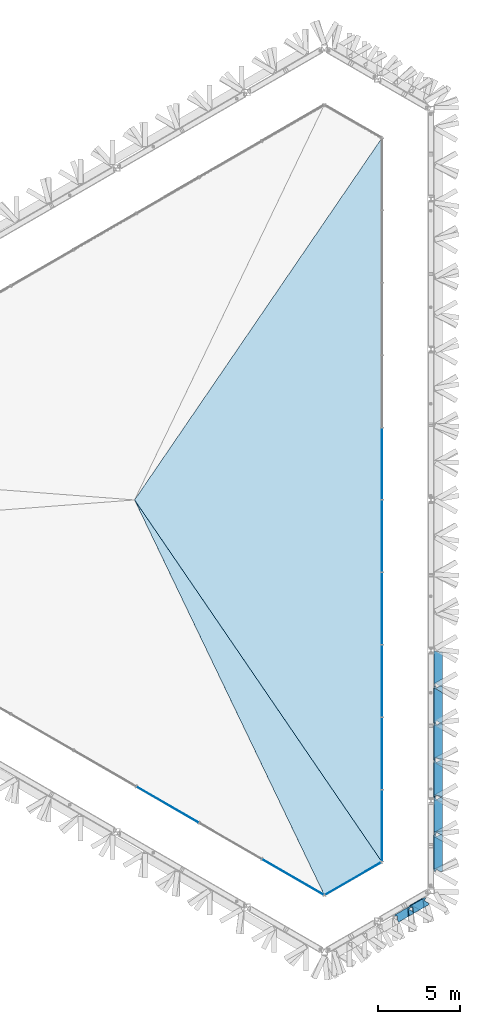
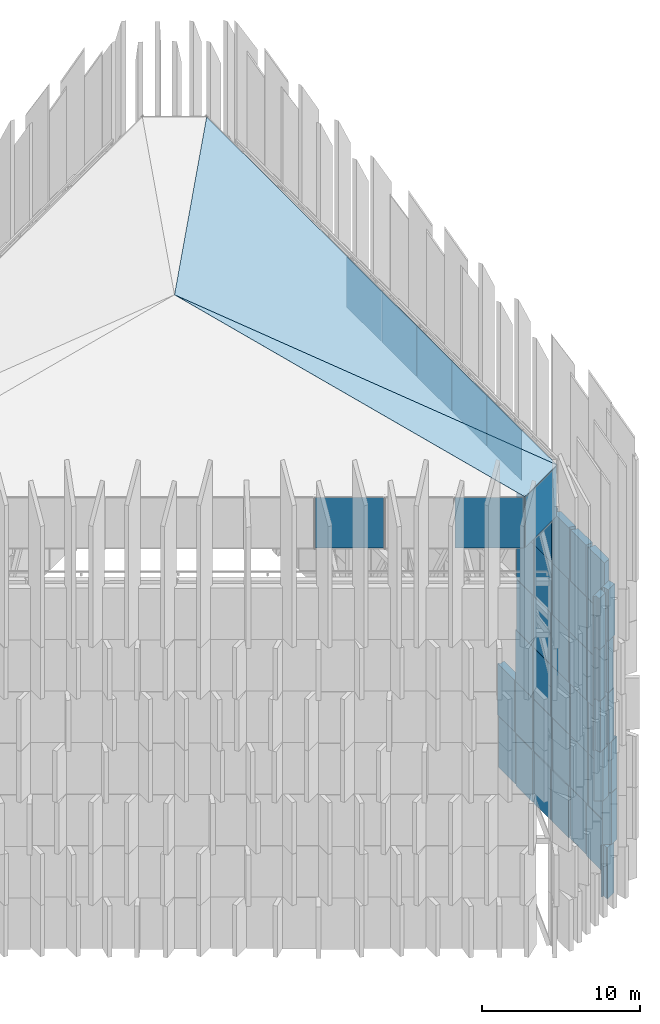
# One storey, part 30 of 45: 53 plates, 3 elements without a shape of their own.
"""IFC4 building model written with IfcOpenShell, lengths in metres."""

from ifc_helpers import new_model, si_unit, direction, frame, origin, origin_2d, place, context, subcontext, project, spatial, polyline, rectangle, outline, extrude, material, layer, layer_set, type_object, element, aggregate, save


model = new_model("IFC4")

# Units and contexts
model_context = context("Model", 3, precision=1e-05, world=origin(), true_north=direction((0.0, 1.0)))
body_context = subcontext(model_context, "Body", "Model", "MODEL_VIEW")
ifc_project = project(units=[si_unit("LENGTHUNIT", "METRE"), si_unit("AREAUNIT", "SQUARE_METRE"), si_unit("VOLUMEUNIT", "CUBIC_METRE"), si_unit("PLANEANGLEUNIT", "RADIAN"), si_unit("MASSUNIT", "GRAM", prefix="KILO")], contexts=[model_context])

# Site, building, storey
site_placement = place(None, origin())
site = spatial("IfcSite", under=ifc_project, at=site_placement, CompositionType="ELEMENT")
building_placement = place(site_placement, origin())
building = spatial("IfcBuilding", under=site, at=building_placement, Name="Jabali Bay Hotel Tower and Convention Centre", CompositionType="ELEMENT")
storey_placement = place(building_placement, frame((0.0, 0.0, 322.39990234375)))
storey = spatial("IfcBuildingStorey", under=building, at=storey_placement, Name="Crown", CompositionType="ELEMENT", Elevation=322.39990234375)

# Curtain wall, plates
ifc_material_1 = material(Name="Aluminium and glass", Category="aluminium")
ifc_layer_1 = layer(ifc_material_1, 0.199951171875)
ifc_layer_set_1 = layer_set([ifc_layer_1], Name="Aluminium and glass")
curtain_wall_type = type_object("IfcCurtainWallType", Name="CW6 curtain wall", PredefinedType="NOTDEFINED", material=ifc_layer_set_1)
curtain_wall_1_placement = place(storey_placement, origin())
curtain_wall_1 = element("IfcCurtainWall", 1, at=curtain_wall_1_placement, inside=storey, type_object=curtain_wall_type, Name="CW6 lantern glazing 1", PredefinedType="NOTDEFINED")
ifc_material_2 = material(Name="Glass", Category="glass")
ifc_layer_2 = layer(ifc_material_2, 0.031982421875)
ifc_layer_set_2 = layer_set([ifc_layer_2], Name="Glass")
plate_type_1 = type_object("IfcPlateType", Name="CW6 glass panel 32", PredefinedType="CURTAIN_PANEL", material=ifc_layer_set_2)
plate_1_placement = place(storey_placement, frame((90.148681640625, 60.06201171875, 28.41015625), z_axis=(0.0, 0.0, 1.0), x_axis=(0.0, 1.0, 0.0)))
plate_1 = element("IfcPlate", 2, at=plate_1_placement, type_object=plate_type_1, Name="CW6 panel 1.1", PredefinedType="CURTAIN_PANEL", context=body_context, shape_type="SweptSolid", body=[
    extrude(rectangle(XDim=4.343994140625, YDim=0.031982421875, at=origin_2d()), origin(), (0.0, 0.0, 1.0), 3.8798828125),
])
plate_2_placement = place(storey_placement, frame((90.148681640625, 64.48095703125, 28.41015625), z_axis=(0.0, 0.0, 1.0), x_axis=(0.0, 1.0, 0.0)))
plate_2 = element("IfcPlate", 3, at=plate_2_placement, type_object=plate_type_1, Name="CW6 panel 2.1", PredefinedType="CURTAIN_PANEL", context=body_context, shape_type="SweptSolid", body=[
    extrude(rectangle(XDim=4.3740234375, YDim=0.031982421875, at=origin_2d()), origin(), (0.0, 0.0, 1.0), 3.8798828125),
])
plate_3_placement = place(storey_placement, frame((90.148681640625, 68.9150390625, 28.41015625), z_axis=(0.0, 0.0, 1.0), x_axis=(0.0, 1.0, 0.0)))
plate_3 = element("IfcPlate", 4, at=plate_3_placement, type_object=plate_type_1, Name="CW6 panel 3.1", PredefinedType="CURTAIN_PANEL", context=body_context, shape_type="SweptSolid", body=[
    extrude(rectangle(XDim=4.3740234375, YDim=0.031982421875, at=origin_2d()), origin(), (0.0, 0.0, 1.0), 3.8798828125),
])
plate_4_placement = place(storey_placement, frame((90.148681640625, 73.34912109375, 28.41015625), z_axis=(0.0, 0.0, 1.0), x_axis=(0.0, 1.0, 0.0)))
plate_4 = element("IfcPlate", 5, at=plate_4_placement, type_object=plate_type_1, Name="CW6 panel 4.1", PredefinedType="CURTAIN_PANEL", context=body_context, shape_type="SweptSolid", body=[
    extrude(rectangle(XDim=4.3740234375, YDim=0.031982421875, at=origin_2d()), origin(), (0.0, 0.0, 1.0), 3.8798828125),
])
plate_5_placement = place(storey_placement, frame((90.148681640625, 77.782958984375, 28.41015625), z_axis=(0.0, 0.0, 1.0), x_axis=(0.0, 1.0, 0.0)))
plate_5 = element("IfcPlate", 6, at=plate_5_placement, type_object=plate_type_1, Name="CW6 panel 5.1", PredefinedType="CURTAIN_PANEL", context=body_context, shape_type="SweptSolid", body=[
    extrude(rectangle(XDim=4.3740234375, YDim=0.031982421875, at=origin_2d()), origin(), (0.0, 0.0, 1.0), 3.8798828125),
])
plate_6_placement = place(storey_placement, frame((90.148681640625, 82.217041015625, 28.41015625), z_axis=(0.0, 0.0, 1.0), x_axis=(0.0, 1.0, 0.0)))
plate_6 = element("IfcPlate", 7, at=plate_6_placement, type_object=plate_type_1, Name="CW6 panel 6.1", PredefinedType="CURTAIN_PANEL", context=body_context, shape_type="SweptSolid", body=[
    extrude(rectangle(XDim=4.3740234375, YDim=0.031982421875, at=origin_2d()), origin(), (0.0, 0.0, 1.0), 3.8798828125),
])
aggregate(curtain_wall_1, [plate_1, plate_2, plate_3, plate_4, plate_5, plate_6])

curtain_wall_2_placement = place(storey_placement, origin())
curtain_wall_2 = element("IfcCurtainWall", 8, at=curtain_wall_2_placement, inside=storey, type_object=curtain_wall_type, Name="CW6 lantern glazing 5", PredefinedType="NOTDEFINED")
plate_7_placement = place(storey_placement, frame((77.025390625, 61.33837890625, 28.41015625), z_axis=(0.0, 0.0, 1.0), x_axis=(0.866025400826, -0.500000005124, 0.0)))
plate_7 = element("IfcPlate", 9, at=plate_7_placement, type_object=plate_type_1, Name="CW6 panel 8.1", PredefinedType="CURTAIN_PANEL", context=body_context, shape_type="SweptSolid", body=[
    extrude(rectangle(XDim=4.3740234375, YDim=0.031982421875, at=origin_2d()), origin(), (0.0, 0.0, 1.0), 3.8798828125),
])
plate_8_placement = place(storey_placement, frame((84.6923828125, 56.911865234375, 28.41015625), z_axis=(0.0, 0.0, 1.0), x_axis=(0.866025400826, -0.500000005124, 0.0)))
plate_8 = element("IfcPlate", 10, at=plate_8_placement, type_object=plate_type_1, Name="CW6 panel 10.1", PredefinedType="CURTAIN_PANEL", context=body_context, shape_type="SweptSolid", body=[
    extrude(rectangle(XDim=4.343994140625, YDim=0.031982421875, at=origin_2d()), origin(), (0.0, 0.0, 1.0), 3.8798828125),
])
aggregate(curtain_wall_2, [plate_7, plate_8])

# Curtain wall, plate
curtain_wall_3_placement = place(storey_placement, origin())
curtain_wall_3 = element("IfcCurtainWall", 11, at=curtain_wall_3_placement, inside=storey, type_object=curtain_wall_type, Name="CW6 lantern glazing 6", PredefinedType="NOTDEFINED")
plate_9_placement = place(storey_placement, frame((88.386962890625, 56.81298828125, 28.41015625), z_axis=(0.0, 0.0, 1.0), x_axis=(0.866025418882, 0.499999973851, 0.0)))
plate_9 = element("IfcPlate", 12, at=plate_9_placement, type_object=plate_type_1, Name="CW6 panel 1.1", PredefinedType="CURTAIN_PANEL", context=body_context, shape_type="SweptSolid", body=[
    extrude(rectangle(XDim=3.948486328125, YDim=0.031982421875, at=origin_2d()), origin(), (0.0, 0.0, 1.0), 3.8798828125),
])
aggregate(curtain_wall_3, [plate_9])

# Plates
ifc_layer_3 = layer(ifc_material_2, 0.0400390625)
ifc_layer_set_3 = layer_set([ifc_layer_3], Name="Glass")
plate_type_2 = type_object("IfcPlateType", Name="Lantern roof glazing", PredefinedType="SHEET", material=ifc_layer_set_3)
plate_10_placement = place(storey_placement, frame((90.148681640625, 57.830078125, 32.35009765625), z_axis=(0.313430312535, 0.0, 0.949611204222), x_axis=(0.0, 1.0, 0.0)))
element("IfcPlate", 13, at=plate_10_placement, inside=storey, type_object=plate_type_2, Name="Lantern roof glazing 1", PredefinedType="SHEET", context=body_context, shape_type="SweptSolid", body=[
    extrude(outline(polyline([(0.0, 0.0), (44.33984375, 0.0), (22.169921875, 15.952392578125), (0.0, 0.0)])), origin(), (0.0, 0.0, -1.0), 0.0400390625),
])
plate_11_placement = place(storey_placement, frame((86.625244140625, 55.7958984375, 32.35009765625), z_axis=(0.091784635079, -0.158981739493, 0.983005792084), x_axis=(0.866033694824, 0.499985639223, 0.0)))
element("IfcPlate", 14, at=plate_11_placement, inside=storey, type_object=plate_type_2, Name="Lantern roof glazing 6", PredefinedType="SHEET", context=body_context, shape_type="SweptSolid", body=[
    extrude(outline(polyline([(0.0, 0.0), (4.068359375, 0.0), (2.033935546875, 27.23681640625), (0.0, 0.0)])), origin(), (0.0, 0.0, -1.0), 0.0400390625),
])
ifc_material_3 = material(Name="Precast concrete C60", Category="concrete")
ifc_layer_4 = layer(ifc_material_3, 0.5)
ifc_layer_set_4 = layer_set([ifc_layer_4], Name="Precast concrete C60")
plate_type_3 = type_object("IfcPlateType", Name="Pierced precast screen", PredefinedType="USERDEFINED", material=ifc_layer_set_4)
plate_12_placement = place(storey_placement, frame((0.0, 0.0, 0.010009765625)))
element("IfcPlate", 15, at=plate_12_placement, inside=storey, type_object=plate_type_3, Name="Screen 1.0.00", ObjectType="SCREEN", PredefinedType="USERDEFINED", context=body_context, shape_type="SweptSolid", body=[
    extrude(outline(polyline([(93.298828125, 59.5126953125), (93.298828125, 57.371337890625), (93.798828125, 57.611572265625), (93.798828125, 59.426513671875), (93.339111328125, 59.364013671875), (93.31884765625, 59.5126953125), (93.298828125, 59.5126953125)])), origin(), (0.0, 0.0, 1.0), 3.9658203125),
])
plate_13_placement = place(storey_placement, frame((0.0, 0.0, 0.010009765625)))
element("IfcPlate", 16, at=plate_13_placement, inside=storey, type_object=plate_type_3, Name="Screen 1.0.01", ObjectType="SCREEN", PredefinedType="USERDEFINED", context=body_context, shape_type="SweptSolid", body=[
    extrude(outline(polyline([(93.348876953125, 61.643798828125), (93.348876953125, 59.66796875), (93.848876953125, 59.736083984375), (93.848876953125, 61.512451171875), (93.348876953125, 61.643798828125)])), origin(), (0.0, 0.0, 1.0), 3.9658203125),
])
plate_14_placement = place(storey_placement, frame((0.0, 0.0, 0.010009765625)))
element("IfcPlate", 17, at=plate_14_placement, inside=storey, type_object=plate_type_3, Name="Screen 1.0.02", ObjectType="SCREEN", PredefinedType="USERDEFINED", context=body_context, shape_type="SweptSolid", body=[
    extrude(outline(polyline([(93.298828125, 63.935546875), (93.298828125, 61.7890625), (93.386962890625, 61.7890625), (93.425048828125, 61.93408203125), (93.798828125, 61.835693359375), (93.798828125, 63.646728515625), (93.298828125, 63.935546875)])), origin(), (0.0, 0.0, 1.0), 3.9658203125),
])
plate_15_placement = place(storey_placement, frame((0.0, 0.0, 0.010009765625)))
element("IfcPlate", 18, at=plate_15_placement, inside=storey, type_object=plate_type_3, Name="Screen 1.0.03", ObjectType="SCREEN", PredefinedType="USERDEFINED", context=body_context, shape_type="SweptSolid", body=[
    extrude(outline(polyline([(93.298828125, 66.2119140625), (93.298828125, 64.0654296875), (93.373779296875, 64.0654296875), (93.44873046875, 64.1953125), (93.673828125, 64.0654296875), (93.798828125, 64.0654296875), (93.798828125, 65.923095703125), (93.298828125, 66.2119140625)])), origin(), (0.0, 0.0, 1.0), 3.9658203125),
])
plate_16_placement = place(storey_placement, frame((0.0, 0.0, 0.010009765625)))
element("IfcPlate", 19, at=plate_16_placement, inside=storey, type_object=plate_type_3, Name="Screen 1.0.04", ObjectType="SCREEN", PredefinedType="USERDEFINED", context=body_context, shape_type="SweptSolid", body=[
    extrude(outline(polyline([(93.298828125, 68.48828125), (93.298828125, 66.341796875), (93.373779296875, 66.341796875), (93.44873046875, 66.4716796875), (93.673828125, 66.341796875), (93.798828125, 66.341796875), (93.798828125, 68.199462890625), (93.298828125, 68.48828125)])), origin(), (0.0, 0.0, 1.0), 3.9658203125),
])
plate_17_placement = place(storey_placement, frame((0.0, 0.0, 0.010009765625)))
element("IfcPlate", 20, at=plate_17_placement, inside=storey, type_object=plate_type_3, Name="Screen 1.0.05", ObjectType="SCREEN", PredefinedType="USERDEFINED", context=body_context, shape_type="SweptSolid", body=[
    extrude(outline(polyline([(93.348876953125, 70.745849609375), (93.348876953125, 68.6181640625), (93.373779296875, 68.6181640625), (93.44873046875, 68.748046875), (93.673828125, 68.6181640625), (93.848876953125, 68.6181640625), (93.848876953125, 70.67626953125), (93.348876953125, 70.745849609375)])), origin(), (0.0, 0.0, 1.0), 3.9658203125),
])
plate_18_placement = place(storey_placement, frame((0.0, 0.0, 0.010009765625)))
element("IfcPlate", 21, at=plate_18_placement, inside=storey, type_object=plate_type_3, Name="Screen 1.5.82", ObjectType="SCREEN", PredefinedType="USERDEFINED", context=body_context, shape_type="SweptSolid", body=[
    extrude(outline(polyline([(92.6318359375, 55.62646484375), (91.825927734375, 55.1611328125), (91.8583984375, 55.10498046875), (92.0078125, 55.1162109375), (92.03173828125, 54.804443359375), (92.075927734375, 54.72802734375), (92.77197265625, 55.1298828125), (92.6318359375, 55.62646484375)])), origin(), (0.0, 0.0, 1.0), 3.9658203125),
])
plate_19_placement = place(storey_placement, frame((0.0, 0.0, 3.995849609375)))
element("IfcPlate", 22, at=plate_19_placement, inside=storey, type_object=plate_type_3, Name="Screen 2.0.00", ObjectType="SCREEN", PredefinedType="USERDEFINED", context=body_context, shape_type="SweptSolid", body=[
    extrude(outline(polyline([(93.348876953125, 59.382568359375), (93.348876953125, 57.236328125), (93.423828125, 57.236328125), (93.498779296875, 57.3662109375), (93.7236328125, 57.236328125), (93.848876953125, 57.236328125), (93.848876953125, 59.093994140625), (93.348876953125, 59.382568359375)])), origin(), (0.0, 0.0, 1.0), 3.965576171875),
])
plate_20_placement = place(storey_placement, frame((0.0, 0.0, 3.995849609375)))
element("IfcPlate", 23, at=plate_20_placement, inside=storey, type_object=plate_type_3, Name="Screen 2.0.01", ObjectType="SCREEN", PredefinedType="USERDEFINED", context=body_context, shape_type="SweptSolid", body=[
    extrude(outline(polyline([(93.348876953125, 61.658935546875), (93.348876953125, 59.5126953125), (93.423828125, 59.5126953125), (93.498779296875, 59.642578125), (93.7236328125, 59.5126953125), (93.848876953125, 59.5126953125), (93.848876953125, 61.370361328125), (93.348876953125, 61.658935546875)])), origin(), (0.0, 0.0, 1.0), 3.965576171875),
])
plate_21_placement = place(storey_placement, frame((0.0, 0.0, 3.995849609375)))
element("IfcPlate", 24, at=plate_21_placement, inside=storey, type_object=plate_type_3, Name="Screen 2.0.02", ObjectType="SCREEN", PredefinedType="USERDEFINED", context=body_context, shape_type="SweptSolid", body=[
    extrude(outline(polyline([(93.348876953125, 63.918212890625), (93.348876953125, 61.7890625), (93.423828125, 61.7890625), (93.498779296875, 61.9189453125), (93.7236328125, 61.7890625), (93.848876953125, 61.7890625), (93.848876953125, 63.8173828125), (93.348876953125, 63.918212890625)])), origin(), (0.0, 0.0, 1.0), 3.965576171875),
])
plate_22_placement = place(storey_placement, frame((0.0, 0.0, 3.995849609375)))
element("IfcPlate", 25, at=plate_22_placement, inside=storey, type_object=plate_type_3, Name="Screen 2.0.03", ObjectType="SCREEN", PredefinedType="USERDEFINED", context=body_context, shape_type="SweptSolid", body=[
    extrude(outline(polyline([(93.348876953125, 66.341796875), (93.348876953125, 64.0654296875), (93.37841796875, 64.0654296875), (93.408203125, 64.21240234375), (93.848876953125, 64.12353515625), (93.848876953125, 66.341796875), (93.725341796875, 66.341796875), (93.497802734375, 66.21142578125), (93.423095703125, 66.341796875), (93.348876953125, 66.341796875)])), origin(), (0.0, 0.0, 1.0), 3.965576171875),
])
plate_23_placement = place(storey_placement, frame((0.0, 0.0, 3.995849609375)))
element("IfcPlate", 26, at=plate_23_placement, inside=storey, type_object=plate_type_3, Name="Screen 2.0.04", ObjectType="SCREEN", PredefinedType="USERDEFINED", context=body_context, shape_type="SweptSolid", body=[
    extrude(outline(polyline([(93.348876953125, 68.6181640625), (93.348876953125, 66.471923828125), (93.848876953125, 66.7578125), (93.848876953125, 68.6181640625), (93.7236328125, 68.6181640625), (93.498779296875, 68.48828125), (93.423828125, 68.6181640625), (93.348876953125, 68.6181640625)])), origin(), (0.0, 0.0, 1.0), 3.965576171875),
])
plate_24_placement = place(storey_placement, frame((0.0, 0.0, 3.995849609375)))
element("IfcPlate", 27, at=plate_24_placement, inside=storey, type_object=plate_type_3, Name="Screen 2.0.05", ObjectType="SCREEN", PredefinedType="USERDEFINED", context=body_context, shape_type="SweptSolid", body=[
    extrude(outline(polyline([(93.348876953125, 70.89453125), (93.348876953125, 68.748046875), (93.848876953125, 69.03662109375), (93.848876953125, 70.89453125), (93.7236328125, 70.89453125), (93.498779296875, 70.7646484375), (93.423828125, 70.89453125), (93.348876953125, 70.89453125)])), origin(), (0.0, 0.0, 1.0), 3.965576171875),
])
plate_25_placement = place(storey_placement, frame((0.0, 0.0, 3.995849609375)))
element("IfcPlate", 28, at=plate_25_placement, inside=storey, type_object=plate_type_3, Name="Screen 2.5.82", ObjectType="SCREEN", PredefinedType="USERDEFINED", context=body_context, shape_type="SweptSolid", body=[
    extrude(outline(polyline([(92.78271484375, 55.65576171875), (91.96337890625, 55.1826171875), (92.46337890625, 54.89404296875), (93.03271484375, 55.222900390625), (92.97021484375, 55.3310546875), (92.745361328125, 55.4609375), (92.8203125, 55.5908203125), (92.78271484375, 55.65576171875)])), origin(), (0.0, 0.0, 1.0), 3.965576171875),
])
plate_26_placement = place(storey_placement, frame((0.0, 0.0, 7.9814453125)))
element("IfcPlate", 29, at=plate_26_placement, inside=storey, type_object=plate_type_3, Name="Screen 3.0.00", ObjectType="SCREEN", PredefinedType="USERDEFINED", context=body_context, shape_type="SweptSolid", body=[
    extrude(outline(polyline([(93.348876953125, 59.382568359375), (93.348876953125, 57.236328125), (93.423828125, 57.236328125), (93.498779296875, 57.3662109375), (93.7236328125, 57.236328125), (93.848876953125, 57.236328125), (93.848876953125, 59.093994140625), (93.348876953125, 59.382568359375)])), origin(), (0.0, 0.0, 1.0), 3.9658203125),
])
plate_27_placement = place(storey_placement, frame((0.0, 0.0, 7.9814453125)))
element("IfcPlate", 30, at=plate_27_placement, inside=storey, type_object=plate_type_3, Name="Screen 3.0.01", ObjectType="SCREEN", PredefinedType="USERDEFINED", context=body_context, shape_type="SweptSolid", body=[
    extrude(outline(polyline([(93.348876953125, 61.644775390625), (93.348876953125, 59.5126953125), (93.423828125, 59.5126953125), (93.498779296875, 59.642578125), (93.7236328125, 59.5126953125), (93.848876953125, 59.5126953125), (93.848876953125, 61.501953125), (93.348876953125, 61.644775390625)])), origin(), (0.0, 0.0, 1.0), 3.9658203125),
])
plate_28_placement = place(storey_placement, frame((0.0, 0.0, 7.9814453125)))
element("IfcPlate", 31, at=plate_28_placement, inside=storey, type_object=plate_type_3, Name="Screen 3.0.02", ObjectType="SCREEN", PredefinedType="USERDEFINED", context=body_context, shape_type="SweptSolid", body=[
    extrude(outline(polyline([(93.348876953125, 64.0654296875), (93.348876953125, 61.7890625), (93.389892578125, 61.7890625), (93.43115234375, 61.93310546875), (93.848876953125, 61.81396484375), (93.848876953125, 64.0654296875), (93.752197265625, 64.0654296875), (93.482421875, 63.93115234375), (93.41552734375, 64.0654296875), (93.348876953125, 64.0654296875)])), origin(), (0.0, 0.0, 1.0), 3.9658203125),
])
plate_29_placement = place(storey_placement, frame((0.0, 0.0, 7.9814453125)))
element("IfcPlate", 32, at=plate_29_placement, inside=storey, type_object=plate_type_3, Name="Screen 3.0.03", ObjectType="SCREEN", PredefinedType="USERDEFINED", context=body_context, shape_type="SweptSolid", body=[
    extrude(outline(polyline([(93.348876953125, 66.341796875), (93.348876953125, 64.19970703125), (93.848876953125, 64.448486328125), (93.848876953125, 66.341796875), (93.7236328125, 66.341796875), (93.498779296875, 66.2119140625), (93.423828125, 66.341796875), (93.348876953125, 66.341796875)])), origin(), (0.0, 0.0, 1.0), 3.9658203125),
])
plate_30_placement = place(storey_placement, frame((0.0, 0.0, 7.9814453125)))
element("IfcPlate", 33, at=plate_30_placement, inside=storey, type_object=plate_type_3, Name="Screen 3.0.04", ObjectType="SCREEN", PredefinedType="USERDEFINED", context=body_context, shape_type="SweptSolid", body=[
    extrude(outline(polyline([(93.348876953125, 68.6181640625), (93.348876953125, 66.4716796875), (93.848876953125, 66.76025390625), (93.848876953125, 68.6181640625), (93.7236328125, 68.6181640625), (93.498779296875, 68.48828125), (93.423828125, 68.6181640625), (93.348876953125, 68.6181640625)])), origin(), (0.0, 0.0, 1.0), 3.9658203125),
])
plate_31_placement = place(storey_placement, frame((0.0, 0.0, 7.9814453125)))
element("IfcPlate", 34, at=plate_31_placement, inside=storey, type_object=plate_type_3, Name="Screen 3.5.81", ObjectType="SCREEN", PredefinedType="USERDEFINED", context=body_context, shape_type="SweptSolid", body=[
    extrude(outline(polyline([(91.850830078125, 55.11767578125), (91.031494140625, 54.644775390625), (91.531494140625, 54.35595703125), (92.100830078125, 54.684814453125), (92.038330078125, 54.79296875), (91.8134765625, 54.9228515625), (91.888427734375, 55.052734375), (91.850830078125, 55.11767578125)])), origin(), (0.0, 0.0, 1.0), 3.9658203125),
])
plate_32_placement = place(storey_placement, frame((0.0, 0.0, 7.9814453125)))
element("IfcPlate", 35, at=plate_32_placement, inside=storey, type_object=plate_type_3, Name="Screen 3.5.82", ObjectType="SCREEN", PredefinedType="USERDEFINED", context=body_context, shape_type="SweptSolid", body=[
    extrude(outline(polyline([(92.78271484375, 55.65576171875), (91.96337890625, 55.1826171875), (92.46337890625, 54.89404296875), (93.03271484375, 55.222900390625), (92.97021484375, 55.3310546875), (92.745361328125, 55.4609375), (92.8203125, 55.5908203125), (92.78271484375, 55.65576171875)])), origin(), (0.0, 0.0, 1.0), 3.9658203125),
])
plate_33_placement = place(storey_placement, frame((0.0, 0.0, 11.96728515625)))
element("IfcPlate", 36, at=plate_33_placement, inside=storey, type_object=plate_type_3, Name="Screen 4.0.00", ObjectType="SCREEN", PredefinedType="USERDEFINED", context=body_context, shape_type="SweptSolid", body=[
    extrude(outline(polyline([(93.348876953125, 59.5126953125), (93.348876953125, 57.379150390625), (93.848876953125, 57.537353515625), (93.848876953125, 59.5126953125), (93.7236328125, 59.5126953125), (93.498779296875, 59.382568359375), (93.423828125, 59.5126953125), (93.348876953125, 59.5126953125)])), origin(), (0.0, 0.0, 1.0), 3.965576171875),
])
plate_34_placement = place(storey_placement, frame((0.0, 0.0, 11.96728515625)))
element("IfcPlate", 37, at=plate_34_placement, inside=storey, type_object=plate_type_3, Name="Screen 4.0.01", ObjectType="SCREEN", PredefinedType="USERDEFINED", context=body_context, shape_type="SweptSolid", body=[
    extrude(outline(polyline([(93.348876953125, 61.7890625), (93.348876953125, 59.642578125), (93.848876953125, 59.93115234375), (93.848876953125, 61.7890625), (93.7236328125, 61.7890625), (93.498779296875, 61.6591796875), (93.423828125, 61.7890625), (93.348876953125, 61.7890625)])), origin(), (0.0, 0.0, 1.0), 3.965576171875),
])
plate_35_placement = place(storey_placement, frame((0.0, 0.0, 11.96728515625)))
element("IfcPlate", 38, at=plate_35_placement, inside=storey, type_object=plate_type_3, Name="Screen 4.0.02", ObjectType="SCREEN", PredefinedType="USERDEFINED", context=body_context, shape_type="SweptSolid", body=[
    extrude(outline(polyline([(93.348876953125, 64.0654296875), (93.348876953125, 61.9189453125), (93.848876953125, 62.20751953125), (93.848876953125, 64.0654296875), (93.740478515625, 64.0654296875), (93.488525390625, 63.9326171875), (93.418701171875, 64.0654296875), (93.348876953125, 64.0654296875)])), origin(), (0.0, 0.0, 1.0), 3.965576171875),
])
plate_36_placement = place(storey_placement, frame((0.0, 0.0, 11.96728515625)))
element("IfcPlate", 39, at=plate_36_placement, inside=storey, type_object=plate_type_3, Name="Screen 4.0.03", ObjectType="SCREEN", PredefinedType="USERDEFINED", context=body_context, shape_type="SweptSolid", body=[
    extrude(outline(polyline([(93.348876953125, 66.341796875), (93.348876953125, 64.197998046875), (93.848876953125, 64.46142578125), (93.848876953125, 66.2470703125), (93.383544921875, 66.192626953125), (93.3662109375, 66.341796875), (93.348876953125, 66.341796875)])), origin(), (0.0, 0.0, 1.0), 3.965576171875),
])
plate_37_placement = place(storey_placement, frame((0.0, 0.0, 11.96728515625)))
element("IfcPlate", 40, at=plate_37_placement, inside=storey, type_object=plate_type_3, Name="Screen 4.0.04", ObjectType="SCREEN", PredefinedType="USERDEFINED", context=body_context, shape_type="SweptSolid", body=[
    extrude(outline(polyline([(93.348876953125, 68.47314453125), (93.348876953125, 66.49072265625), (93.848876953125, 66.549072265625), (93.848876953125, 68.3388671875), (93.348876953125, 68.47314453125)])), origin(), (0.0, 0.0, 1.0), 3.965576171875),
])
plate_38_placement = place(storey_placement, frame((0.0, 0.0, 11.96728515625)))
element("IfcPlate", 41, at=plate_38_placement, inside=storey, type_object=plate_type_3, Name="Screen 4.5.81", ObjectType="SCREEN", PredefinedType="USERDEFINED", context=body_context, shape_type="SweptSolid", body=[
    extrude(outline(polyline([(91.729248046875, 55.04736328125), (90.9189453125, 54.57958984375), (90.93408203125, 54.5537109375), (91.076171875, 54.60107421875), (91.21826171875, 54.17529296875), (91.818115234375, 54.521484375), (91.729248046875, 55.04736328125)])), origin(), (0.0, 0.0, 1.0), 3.965576171875),
])
plate_39_placement = place(storey_placement, frame((0.0, 0.0, 11.96728515625)))
element("IfcPlate", 42, at=plate_39_placement, inside=storey, type_object=plate_type_3, Name="Screen 4.5.82", ObjectType="SCREEN", PredefinedType="USERDEFINED", context=body_context, shape_type="SweptSolid", body=[
    extrude(outline(polyline([(92.667236328125, 55.589111328125), (91.850830078125, 55.11767578125), (91.876953125, 55.072509765625), (92.02490234375, 55.097412109375), (92.092041015625, 54.699951171875), (92.100830078125, 54.684814453125), (92.694091796875, 55.027099609375), (92.667236328125, 55.589111328125)])), origin(), (0.0, 0.0, 1.0), 3.965576171875),
])
plate_40_placement = place(storey_placement, frame((0.0, 0.0, 15.952880859375)))
element("IfcPlate", 43, at=plate_40_placement, inside=storey, type_object=plate_type_3, Name="Screen 5.0.00", ObjectType="SCREEN", PredefinedType="USERDEFINED", context=body_context, shape_type="SweptSolid", body=[
    extrude(outline(polyline([(93.348876953125, 59.5126953125), (93.348876953125, 57.3662109375), (93.848876953125, 57.65478515625), (93.848876953125, 59.5126953125), (93.7236328125, 59.5126953125), (93.498779296875, 59.382568359375), (93.423828125, 59.5126953125), (93.348876953125, 59.5126953125)])), origin(), (0.0, 0.0, 1.0), 3.9658203125),
])
plate_41_placement = place(storey_placement, frame((0.0, 0.0, 15.952880859375)))
element("IfcPlate", 44, at=plate_41_placement, inside=storey, type_object=plate_type_3, Name="Screen 5.0.01", ObjectType="SCREEN", PredefinedType="USERDEFINED", context=body_context, shape_type="SweptSolid", body=[
    extrude(outline(polyline([(93.348876953125, 61.7890625), (93.348876953125, 59.642578125), (93.848876953125, 59.93115234375), (93.848876953125, 61.7890625), (93.7236328125, 61.7890625), (93.498779296875, 61.6591796875), (93.423828125, 61.7890625), (93.348876953125, 61.7890625)])), origin(), (0.0, 0.0, 1.0), 3.9658203125),
])
plate_42_placement = place(storey_placement, frame((0.0, 0.0, 15.952880859375)))
element("IfcPlate", 45, at=plate_42_placement, inside=storey, type_object=plate_type_3, Name="Screen 5.0.02", ObjectType="SCREEN", PredefinedType="USERDEFINED", context=body_context, shape_type="SweptSolid", body=[
    extrude(outline(polyline([(93.348876953125, 63.917236328125), (93.348876953125, 61.9189453125), (93.848876953125, 62.20751953125), (93.848876953125, 63.83544921875), (93.348876953125, 63.917236328125)])), origin(), (0.0, 0.0, 1.0), 3.9658203125),
])
plate_43_placement = place(storey_placement, frame((0.0, 0.0, 15.952880859375)))
element("IfcPlate", 46, at=plate_43_placement, inside=storey, type_object=plate_type_3, Name="Screen 5.0.03", ObjectType="SCREEN", PredefinedType="USERDEFINED", context=body_context, shape_type="SweptSolid", body=[
    extrude(outline(polyline([(93.348876953125, 66.2119140625), (93.348876953125, 64.0654296875), (93.373046875, 64.0654296875), (93.397216796875, 64.21337890625), (93.848876953125, 64.139404296875), (93.848876953125, 65.923095703125), (93.348876953125, 66.2119140625)])), origin(), (0.0, 0.0, 1.0), 3.9658203125),
])
plate_44_placement = place(storey_placement, frame((0.0, 0.0, 15.952880859375)))
element("IfcPlate", 47, at=plate_44_placement, inside=storey, type_object=plate_type_3, Name="Screen 5.0.04", ObjectType="SCREEN", PredefinedType="USERDEFINED", context=body_context, shape_type="SweptSolid", body=[
    extrude(outline(polyline([(93.348876953125, 68.48828125), (93.348876953125, 66.341796875), (93.423828125, 66.341796875), (93.498779296875, 66.4716796875), (93.7236328125, 66.341796875), (93.848876953125, 66.341796875), (93.848876953125, 68.199462890625), (93.348876953125, 68.48828125)])), origin(), (0.0, 0.0, 1.0), 3.9658203125),
])
plate_45_placement = place(storey_placement, frame((0.0, 0.0, 15.952880859375)))
element("IfcPlate", 48, at=plate_45_placement, inside=storey, type_object=plate_type_3, Name="Screen 5.5.81", ObjectType="SCREEN", PredefinedType="USERDEFINED", context=body_context, shape_type="SweptSolid", body=[
    extrude(outline(polyline([(91.73828125, 55.052734375), (90.9189453125, 54.57958984375), (90.95654296875, 54.514892578125), (91.1064453125, 54.514892578125), (91.1064453125, 54.2548828125), (91.1689453125, 54.146728515625), (91.73828125, 54.475341796875), (91.73828125, 55.052734375)])), origin(), (0.0, 0.0, 1.0), 3.9658203125),
])
plate_46_placement = place(storey_placement, frame((0.0, 0.0, 15.952880859375)))
element("IfcPlate", 49, at=plate_46_placement, inside=storey, type_object=plate_type_3, Name="Screen 5.5.82", ObjectType="SCREEN", PredefinedType="USERDEFINED", context=body_context, shape_type="SweptSolid", body=[
    extrude(outline(polyline([(92.67041015625, 55.5908203125), (91.850830078125, 55.11767578125), (91.888427734375, 55.052734375), (92.038330078125, 55.052734375), (92.038330078125, 54.79296875), (92.100830078125, 54.684814453125), (92.67041015625, 55.013427734375), (92.67041015625, 55.5908203125)])), origin(), (0.0, 0.0, 1.0), 3.9658203125),
])
plate_47_placement = place(storey_placement, frame((0.0, 0.0, 19.938720703125)))
element("IfcPlate", 50, at=plate_47_placement, inside=storey, type_object=plate_type_3, Name="Screen 6.0.00", ObjectType="SCREEN", PredefinedType="USERDEFINED", context=body_context, shape_type="SweptSolid", body=[
    extrude(outline(polyline([(93.348876953125, 59.5126953125), (93.348876953125, 57.371337890625), (93.848876953125, 57.611572265625), (93.848876953125, 59.426513671875), (93.38916015625, 59.364013671875), (93.368896484375, 59.5126953125), (93.348876953125, 59.5126953125)])), origin(), (0.0, 0.0, 1.0), 3.965576171875),
])
plate_48_placement = place(storey_placement, frame((0.0, 0.0, 19.938720703125)))
element("IfcPlate", 51, at=plate_48_placement, inside=storey, type_object=plate_type_3, Name="Screen 6.0.01", ObjectType="SCREEN", PredefinedType="USERDEFINED", context=body_context, shape_type="SweptSolid", body=[
    extrude(outline(polyline([(93.348876953125, 61.643798828125), (93.348876953125, 59.6611328125), (93.848876953125, 59.729248046875), (93.848876953125, 61.512451171875), (93.348876953125, 61.643798828125)])), origin(), (0.0, 0.0, 1.0), 3.965576171875),
])
plate_49_placement = place(storey_placement, frame((0.0, 0.0, 19.938720703125)))
element("IfcPlate", 52, at=plate_49_placement, inside=storey, type_object=plate_type_3, Name="Screen 6.0.02", ObjectType="SCREEN", PredefinedType="USERDEFINED", context=body_context, shape_type="SweptSolid", body=[
    extrude(outline(polyline([(93.348876953125, 63.935546875), (93.348876953125, 61.7890625), (93.386962890625, 61.7890625), (93.425048828125, 61.93408203125), (93.848876953125, 61.822509765625), (93.848876953125, 63.646728515625), (93.348876953125, 63.935546875)])), origin(), (0.0, 0.0, 1.0), 3.965576171875),
])
plate_50_placement = place(storey_placement, frame((0.0, 0.0, 19.938720703125)))
element("IfcPlate", 53, at=plate_50_placement, inside=storey, type_object=plate_type_3, Name="Screen 6.0.03", ObjectType="SCREEN", PredefinedType="USERDEFINED", context=body_context, shape_type="SweptSolid", body=[
    extrude(outline(polyline([(93.348876953125, 66.2119140625), (93.348876953125, 64.0654296875), (93.423828125, 64.0654296875), (93.498779296875, 64.1953125), (93.7236328125, 64.0654296875), (93.848876953125, 64.0654296875), (93.848876953125, 65.923095703125), (93.348876953125, 66.2119140625)])), origin(), (0.0, 0.0, 1.0), 3.965576171875),
])
plate_51_placement = place(storey_placement, frame((0.0, 0.0, 19.938720703125)))
element("IfcPlate", 54, at=plate_51_placement, inside=storey, type_object=plate_type_3, Name="Screen 6.0.04", ObjectType="SCREEN", PredefinedType="USERDEFINED", context=body_context, shape_type="SweptSolid", body=[
    extrude(outline(polyline([(93.348876953125, 68.48828125), (93.348876953125, 66.341796875), (93.423828125, 66.341796875), (93.498779296875, 66.4716796875), (93.7236328125, 66.341796875), (93.848876953125, 66.341796875), (93.848876953125, 68.199462890625), (93.348876953125, 68.48828125)])), origin(), (0.0, 0.0, 1.0), 3.965576171875),
])
plate_52_placement = place(storey_placement, frame((0.0, 0.0, 19.938720703125)))
element("IfcPlate", 55, at=plate_52_placement, inside=storey, type_object=plate_type_3, Name="Screen 6.5.81", ObjectType="SCREEN", PredefinedType="USERDEFINED", context=body_context, shape_type="SweptSolid", body=[
    extrude(outline(polyline([(91.733642578125, 55.050048828125), (90.9189453125, 54.57958984375), (90.95654296875, 54.514892578125), (91.1064453125, 54.514892578125), (91.1064453125, 54.2548828125), (91.1689453125, 54.146728515625), (91.776123046875, 54.4970703125), (91.733642578125, 55.050048828125)])), origin(), (0.0, 0.0, 1.0), 3.965576171875),
])
plate_53_placement = place(storey_placement, frame((0.0, 0.0, 19.938720703125)))
element("IfcPlate", 56, at=plate_53_placement, inside=storey, type_object=plate_type_3, Name="Screen 6.5.82", ObjectType="SCREEN", PredefinedType="USERDEFINED", context=body_context, shape_type="SweptSolid", body=[
    extrude(outline(polyline([(92.656982421875, 55.5830078125), (91.850830078125, 55.11767578125), (91.88330078125, 55.0615234375), (92.032958984375, 55.072998046875), (92.056640625, 54.76123046875), (92.100830078125, 54.684814453125), (92.797119140625, 55.086669921875), (92.656982421875, 55.5830078125)])), origin(), (0.0, 0.0, 1.0), 3.965576171875),
])

save(model, "model.ifc")
